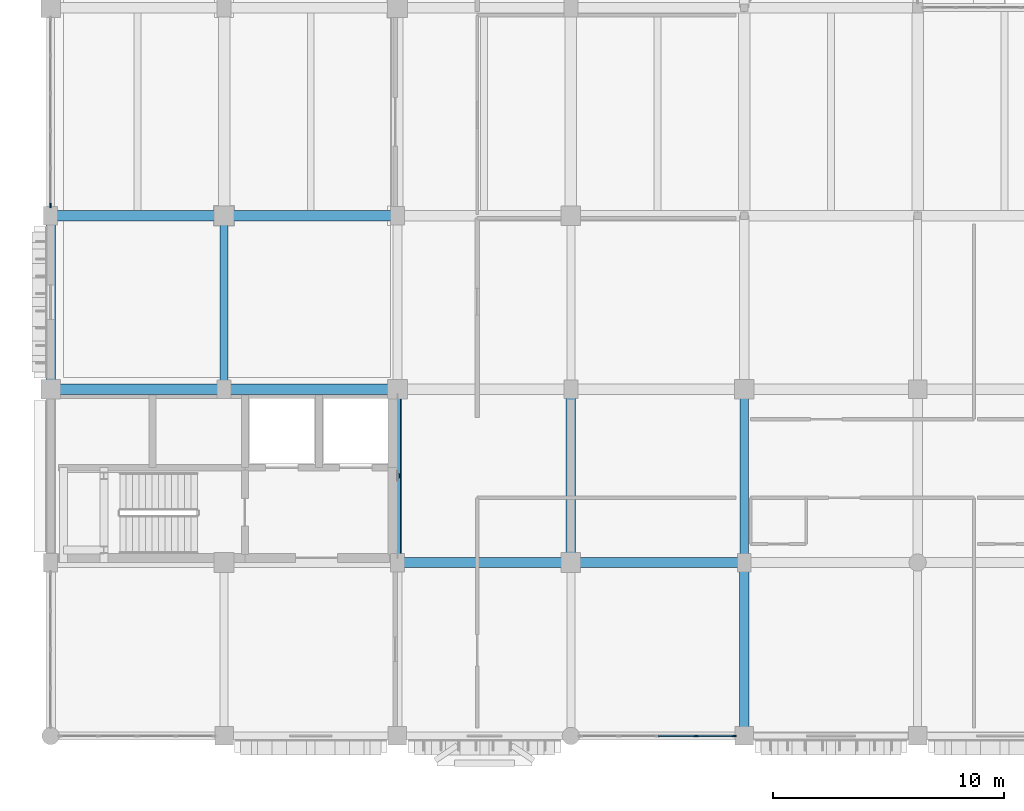
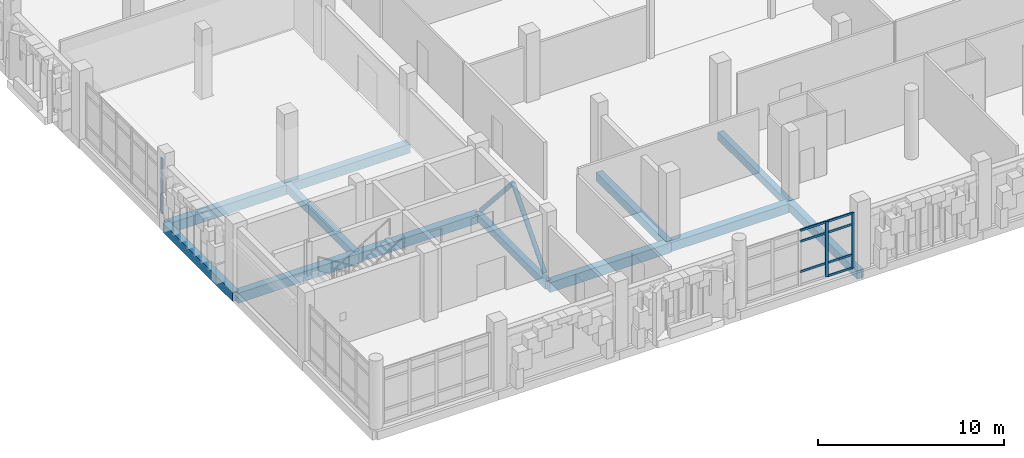
# One storey, part 14 of 128: 12 beams, 12 members, 2 elements without a shape of their own.
"""IFC4 building model written with IfcOpenShell, lengths in metres."""

from ifc_helpers import new_model, si_unit, direction, frame, origin, origin_2d, place, context, subcontext, project, spatial, rectangle, hollow_circle, extrude, material, layer, layer_set, material_profile, profile_set, type_object, element, aggregate, save


model = new_model("IFC4")

# Units and contexts
model_context = context("Model", 3, precision=1e-05, world=origin(), true_north=direction((0.0, 1.0)))
body_context = subcontext(model_context, "Body", "Model", "MODEL_VIEW")
ifc_project = project(units=[si_unit("LENGTHUNIT", "METRE"), si_unit("AREAUNIT", "SQUARE_METRE"), si_unit("VOLUMEUNIT", "CUBIC_METRE"), si_unit("PLANEANGLEUNIT", "RADIAN"), si_unit("MASSUNIT", "GRAM", prefix="KILO")], contexts=[model_context])

# Site, building, storey
site_placement = place(None, origin())
site = spatial("IfcSite", under=ifc_project, at=site_placement, CompositionType="ELEMENT")
building_placement = place(site_placement, origin())
building = spatial("IfcBuilding", under=site, at=building_placement, Name="Dalvernix Boulevard General Hospital", CompositionType="ELEMENT")
storey_placement = place(building_placement, frame((0.0, 0.0, 4.800048828125)))
storey = spatial("IfcBuildingStorey", under=building, at=storey_placement, Name="L01", CompositionType="ELEMENT", Elevation=4.800048828125)

# Beams
ifc_material_1 = material(Name="Concrete C35/45", Category="concrete")
ifc_material_profile_1 = material_profile(ifc_material_1, rectangle(XDim=0.449951171875, YDim=0.64990234375, at=origin_2d()), Name="RCB 450x650")
ifc_profile_set_1 = profile_set([ifc_material_profile_1], Name="Concrete C35/45")
beam_type_1 = type_object("IfcBeamType", Name="BM-B-03-I", PredefinedType="BEAM", material=ifc_profile_set_1)
for number, where, z_axis, x_axis, name in (
    (1, (15.0, 7.5, -0.625), (1.0, 0.0, 0.0), (0.0, 1.0, 0.0), "L01 E-W girder B:3-4"),
    (2, (0.0, 15.0, -0.625), (1.0, 0.0, 0.0), (0.0, 1.0, 0.0), "L01 E-W girder C:1-2"),
    (3, (0.0, 22.5, -0.625), (1.0, 0.0, 0.0), (0.0, 1.0, 0.0), "L01 E-W girder D:1-2"),
):
    element("IfcBeam", number, at=place(storey_placement, frame(where, z_axis=z_axis, x_axis=x_axis)), inside=storey, type_object=beam_type_1, Name=name, PredefinedType="BEAM", context=body_context, shape_type="SweptSolid", body=[
        extrude(rectangle(XDim=0.449951171875, YDim=0.64990234375, at=origin_2d()), origin(), (0.0, 0.0, 1.0), 7.5),
    ])
ifc_material_profile_2 = material_profile(ifc_material_1, rectangle(XDim=0.449951171875, YDim=0.60009765625, at=origin_2d()), Name="RCB 450x600")
ifc_profile_set_2 = profile_set([ifc_material_profile_2], Name="Concrete C35/45")
beam_type_2 = type_object("IfcBeamType", Name="BM-B-04-I", PredefinedType="BEAM", material=ifc_profile_set_2)
for number, where, z_axis, x_axis, name in (
    (4, (22.5, 7.5, -0.60009765625), (1.0, 0.0, 0.0), (0.0, 1.0, 0.0), "L01 E-W girder B:4-5"),
    (5, (7.5, 15.0, -0.60009765625), (1.0, 0.0, 0.0), (0.0, 1.0, 0.0), "L01 E-W girder C:2-3"),
    (6, (7.5, 22.5, -0.60009765625), (1.0, 0.0, 0.0), (0.0, 1.0, 0.0), "L01 E-W girder D:2-3"),
):
    element("IfcBeam", number, at=place(storey_placement, frame(where, z_axis=z_axis, x_axis=x_axis)), inside=storey, type_object=beam_type_2, Name=name, PredefinedType="BEAM", context=body_context, shape_type="SweptSolid", body=[
        extrude(rectangle(XDim=0.449951171875, YDim=0.60009765625, at=origin_2d()), origin(), (0.0, 0.0, 1.0), 7.5),
    ])
ifc_material_profile_3 = material_profile(ifc_material_1, rectangle(XDim=0.39990234375, YDim=0.550048828125, at=origin_2d()), Name="RCB 400x550")
ifc_profile_set_3 = profile_set([ifc_material_profile_3], Name="Concrete C35/45")
beam_type_3 = type_object("IfcBeamType", Name="BM-B-06-I", PredefinedType="BEAM", material=ifc_profile_set_3)
for number, where, z_axis, x_axis, name in (
    (7, (22.5, 7.5, -0.574951171875), (0.0, 1.0, 0.0), (-1.0, 0.0, 0.0), "L01 N-S girder 4:B-C"),
    (8, (30.0, 0.0, -0.574951171875), (0.0, 1.0, 0.0), (-1.0, 0.0, 0.0), "L01 N-S girder 5:A-B"),
):
    element("IfcBeam", number, at=place(storey_placement, frame(where, z_axis=z_axis, x_axis=x_axis)), inside=storey, type_object=beam_type_3, Name=name, PredefinedType="BEAM", context=body_context, shape_type="SweptSolid", body=[
        extrude(rectangle(XDim=0.39990234375, YDim=0.550048828125, at=origin_2d()), origin(), (0.0, 0.0, 1.0), 7.5),
    ])
ifc_material_profile_4 = material_profile(ifc_material_1, rectangle(XDim=0.35009765625, YDim=0.5, at=origin_2d()), Name="RCB 350x500")
ifc_profile_set_4 = profile_set([ifc_material_profile_4], Name="Concrete C35/45")
beam_type_4 = type_object("IfcBeamType", Name="BM-B-08-I", PredefinedType="BEAM", material=ifc_profile_set_4)
for number, where, z_axis, x_axis, name in (
    (9, (7.5, 15.0, -0.550048828125), (0.0, 1.0, 0.0), (-1.0, 0.0, 0.0), "L01 N-S girder 2:C-D"),
    (10, (15.0, 7.5, -0.550048828125), (0.0, 1.0, 0.0), (-1.0, 0.0, 0.0), "L01 N-S girder 3:B-C"),
    (11, (30.0, 7.5, -0.550048828125), (0.0, 1.0, 0.0), (-1.0, 0.0, 0.0), "L01 N-S girder 5:B-C"),
):
    element("IfcBeam", number, at=place(storey_placement, frame(where, z_axis=z_axis, x_axis=x_axis)), inside=storey, type_object=beam_type_4, Name=name, PredefinedType="BEAM", context=body_context, shape_type="SweptSolid", body=[
        extrude(rectangle(XDim=0.35009765625, YDim=0.5, at=origin_2d()), origin(), (0.0, 0.0, 1.0), 7.5),
    ])
ifc_material_profile_5 = material_profile(ifc_material_1, rectangle(XDim=0.39990234375, YDim=0.60009765625, at=origin_2d()), Name="RCB 400x600")
ifc_profile_set_5 = profile_set([ifc_material_profile_5], Name="Concrete C35/45")
beam_type_5 = type_object("IfcBeamType", Name="BM-SB-02-E", PredefinedType="SPANDREL", material=ifc_profile_set_5)
beam_placement = place(storey_placement, frame((0.0, 15.0, -0.60009765625), z_axis=(0.0, 1.0, 0.0), x_axis=(-1.0, 0.0, 0.0)))
element("IfcBeam", 12, at=beam_placement, inside=storey, type_object=beam_type_5, Name="L01 N-S girder 1:C-D", PredefinedType="SPANDREL", context=body_context, shape_type="SweptSolid", body=[
    extrude(rectangle(XDim=0.39990234375, YDim=0.60009765625, at=origin_2d()), origin(), (0.0, 0.0, 1.0), 7.5),
])

# Members
ifc_material_2 = material(Name="Steel S355", Category="steel")
ifc_material_profile_6 = material_profile(ifc_material_2, hollow_circle(Radius=0.136474609375, WallThickness=0.010009765625, at=origin_2d()), Name="CHS 273.0x10.0")
ifc_profile_set_6 = profile_set([ifc_material_profile_6], Name="Steel S355")
member_type_1 = type_object("IfcMemberType", Name="MEM-BR-01", PredefinedType="BRACE", material=ifc_profile_set_6)
for number, where, z_axis, x_axis, name in (
    (13, (15.0, 7.85009765625, 0.0), (0.0, 0.663884349069, 0.747835256631), (-1.0, 0.0, 0.0), "L01 braced frame chevron 1A"),
    (14, (15.0, 14.64990234375, 0.0), (0.0, -0.663884349069, 0.747835256631), (1.0, 0.0, 0.0), "L01 braced frame chevron 1B"),
):
    element("IfcMember", number, at=place(storey_placement, frame(where, z_axis=z_axis, x_axis=x_axis)), inside=storey, type_object=member_type_1, Name=name, PredefinedType="BRACE", context=body_context, shape_type="SweptSolid", body=[
        extrude(hollow_circle(Radius=0.136474609375, WallThickness=0.010009765625, at=origin_2d()), origin(), (0.0, 0.0, 1.0), 5.121337890625),
    ])

# Curtain wall, member
ifc_material_3 = material(Name="Thermally broken aluminium and solar-control glass curtain wall", Category="aluminium")
ifc_layer_1 = layer(ifc_material_3, 0.179931640625)
ifc_layer_set_1 = layer_set([ifc_layer_1], Name="Thermally broken aluminium and solar-control glass curtain wall (CW-CW-B-82x36)")
curtain_wall_type_1 = type_object("IfcCurtainWallType", Name="CW-CW-B-82x36", PredefinedType="USERDEFINED", material=ifc_layer_set_1)
curtain_wall_1_placement = place(storey_placement, origin())
curtain_wall_1 = element("IfcCurtainWall", 15, at=curtain_wall_1_placement, inside=storey, type_object=curtain_wall_type_1, Name="L01 curtain wall CW-B-82x36 0-3", ObjectType="GLAZED FACADE", PredefinedType="USERDEFINED")
ifc_material_4 = material(Name="Aluminium EN AW-6060", Category="aluminium")
ifc_material_profile_7 = material_profile(ifc_material_4, rectangle(XDim=0.06494140625, YDim=0.179931640625, at=origin_2d()), Name="ALU MULL 65x180")
ifc_profile_set_7 = profile_set([ifc_material_profile_7], Name="Aluminium EN AW-6060")
member_type_2 = type_object("IfcMemberType", Name="MEM-CW-M2", PredefinedType="MULLION", material=ifc_profile_set_7)
member_1_placement = place(storey_placement, frame((0.0, 22.9423828125, 0.0), z_axis=(0.0, 0.0, 1.0), x_axis=(-1.0, 0.0, 0.0)))
member_1 = element("IfcMember", 16, at=member_1_placement, type_object=member_type_2, Name="CW-B-82x36 mullion 1", PredefinedType="MULLION", context=body_context, shape_type="SweptSolid", body=[
    extrude(rectangle(XDim=0.06494140625, YDim=0.179931640625, at=origin_2d()), origin(), (0.0, 0.0, 1.0), 3.6298828125),
])
aggregate(curtain_wall_1, [member_1])

# Curtain wall, members
ifc_layer_2 = layer(ifc_material_3, 0.179931640625)
ifc_layer_set_2 = layer_set([ifc_layer_2], Name="Thermally broken aluminium and solar-control glass curtain wall (CW-CW-B-67x36)")
curtain_wall_type_2 = type_object("IfcCurtainWallType", Name="CW-CW-B-67x36", PredefinedType="USERDEFINED", material=ifc_layer_set_2)
curtain_wall_2_placement = place(storey_placement, origin())
curtain_wall_2 = element("IfcCurtainWall", 17, at=curtain_wall_2_placement, inside=storey, type_object=curtain_wall_type_2, Name="L01 curtain wall CW-B-67x36 3-0", ObjectType="GLAZED FACADE", PredefinedType="USERDEFINED")
member_2_placement = place(storey_placement, frame((29.5576171875, 0.0, 0.0), z_axis=(0.0, 0.0, 1.0), x_axis=(0.0, -1.0, 0.0)))
member_2 = element("IfcMember", 18, at=member_2_placement, type_object=member_type_2, Name="CW-B-67x36 mullion 1", PredefinedType="MULLION", context=body_context, shape_type="SweptSolid", body=[
    extrude(rectangle(XDim=0.06494140625, YDim=0.179931640625, at=origin_2d()), origin(), (0.0, 0.0, 1.0), 3.6298828125),
])
member_3_placement = place(storey_placement, frame((27.913818359375, 0.0, 0.0), z_axis=(0.0, 0.0, 1.0), x_axis=(0.0, -1.0, 0.0)))
member_3 = element("IfcMember", 19, at=member_3_placement, type_object=member_type_2, Name="CW-B-67x36 mullion 2", PredefinedType="MULLION", context=body_context, shape_type="SweptSolid", body=[
    extrude(rectangle(XDim=0.06494140625, YDim=0.179931640625, at=origin_2d()), origin(), (0.0, 0.0, 1.0), 3.6298828125),
])
ifc_material_profile_8 = material_profile(ifc_material_4, rectangle(XDim=0.06494140625, YDim=0.139892578125, at=origin_2d()), Name="ALU TRAN 65x140")
ifc_profile_set_8 = profile_set([ifc_material_profile_8], Name="Aluminium EN AW-6060")
member_type_3 = type_object("IfcMemberType", Name="MEM-CW-T2", PredefinedType="USERDEFINED", material=ifc_profile_set_8)
member_4_placement = place(storey_placement, frame((29.52490234375, 0.0, 0.032470703125), z_axis=(-1.0, 0.0, 0.0), x_axis=(0.0, -1.0, 0.0)))
member_4 = element("IfcMember", 20, at=member_4_placement, type_object=member_type_3, Name="CW-B-67x36 transom 1.1", ObjectType="TRANSOM", PredefinedType="USERDEFINED", context=body_context, shape_type="SweptSolid", body=[
    extrude(rectangle(XDim=0.06494140625, YDim=0.139892578125, at=origin_2d()), origin(), (0.0, 0.0, 1.0), 1.57861328125),
])
member_5_placement = place(storey_placement, frame((29.52490234375, 0.0, 0.89990234375), z_axis=(-1.0, 0.0, 0.0), x_axis=(0.0, -1.0, 0.0)))
member_5 = element("IfcMember", 21, at=member_5_placement, type_object=member_type_3, Name="CW-B-67x36 transom 1.2", ObjectType="TRANSOM", PredefinedType="USERDEFINED", context=body_context, shape_type="SweptSolid", body=[
    extrude(rectangle(XDim=0.06494140625, YDim=0.139892578125, at=origin_2d()), origin(), (0.0, 0.0, 1.0), 1.57861328125),
])
member_6_placement = place(storey_placement, frame((29.52490234375, 0.0, 2.8798828125), z_axis=(-1.0, 0.0, 0.0), x_axis=(0.0, -1.0, 0.0)))
member_6 = element("IfcMember", 22, at=member_6_placement, type_object=member_type_3, Name="CW-B-67x36 transom 1.3", ObjectType="TRANSOM", PredefinedType="USERDEFINED", context=body_context, shape_type="SweptSolid", body=[
    extrude(rectangle(XDim=0.06494140625, YDim=0.139892578125, at=origin_2d()), origin(), (0.0, 0.0, 1.0), 1.57861328125),
])
member_7_placement = place(storey_placement, frame((29.52490234375, 0.0, 3.597412109375), z_axis=(-1.0, 0.0, 0.0), x_axis=(0.0, -1.0, 0.0)))
member_7 = element("IfcMember", 23, at=member_7_placement, type_object=member_type_3, Name="CW-B-67x36 transom 1.4", ObjectType="TRANSOM", PredefinedType="USERDEFINED", context=body_context, shape_type="SweptSolid", body=[
    extrude(rectangle(XDim=0.06494140625, YDim=0.139892578125, at=origin_2d()), origin(), (0.0, 0.0, 1.0), 1.57861328125),
])
member_8_placement = place(storey_placement, frame((27.88134765625, 0.0, 0.89990234375), z_axis=(-1.0, 0.0, 0.0), x_axis=(0.0, -1.0, 0.0)))
member_8 = element("IfcMember", 24, at=member_8_placement, type_object=member_type_3, Name="CW-B-67x36 transom 2.2", ObjectType="TRANSOM", PredefinedType="USERDEFINED", context=body_context, shape_type="SweptSolid", body=[
    extrude(rectangle(XDim=0.06494140625, YDim=0.139892578125, at=origin_2d()), origin(), (0.0, 0.0, 1.0), 1.611328125),
])
member_9_placement = place(storey_placement, frame((27.88134765625, 0.0, 2.8798828125), z_axis=(-1.0, 0.0, 0.0), x_axis=(0.0, -1.0, 0.0)))
member_9 = element("IfcMember", 25, at=member_9_placement, type_object=member_type_3, Name="CW-B-67x36 transom 2.3", ObjectType="TRANSOM", PredefinedType="USERDEFINED", context=body_context, shape_type="SweptSolid", body=[
    extrude(rectangle(XDim=0.06494140625, YDim=0.139892578125, at=origin_2d()), origin(), (0.0, 0.0, 1.0), 1.611328125),
])
member_10_placement = place(storey_placement, frame((27.88134765625, 0.0, 3.597412109375), z_axis=(-1.0, 0.0, 0.0), x_axis=(0.0, -1.0, 0.0)))
member_10 = element("IfcMember", 26, at=member_10_placement, type_object=member_type_3, Name="CW-B-67x36 transom 2.4", ObjectType="TRANSOM", PredefinedType="USERDEFINED", context=body_context, shape_type="SweptSolid", body=[
    extrude(rectangle(XDim=0.06494140625, YDim=0.139892578125, at=origin_2d()), origin(), (0.0, 0.0, 1.0), 1.611328125),
])
aggregate(curtain_wall_2, [member_2, member_3, member_4, member_5, member_6, member_7, member_8, member_9, member_10])

save(model, "model.ifc")
